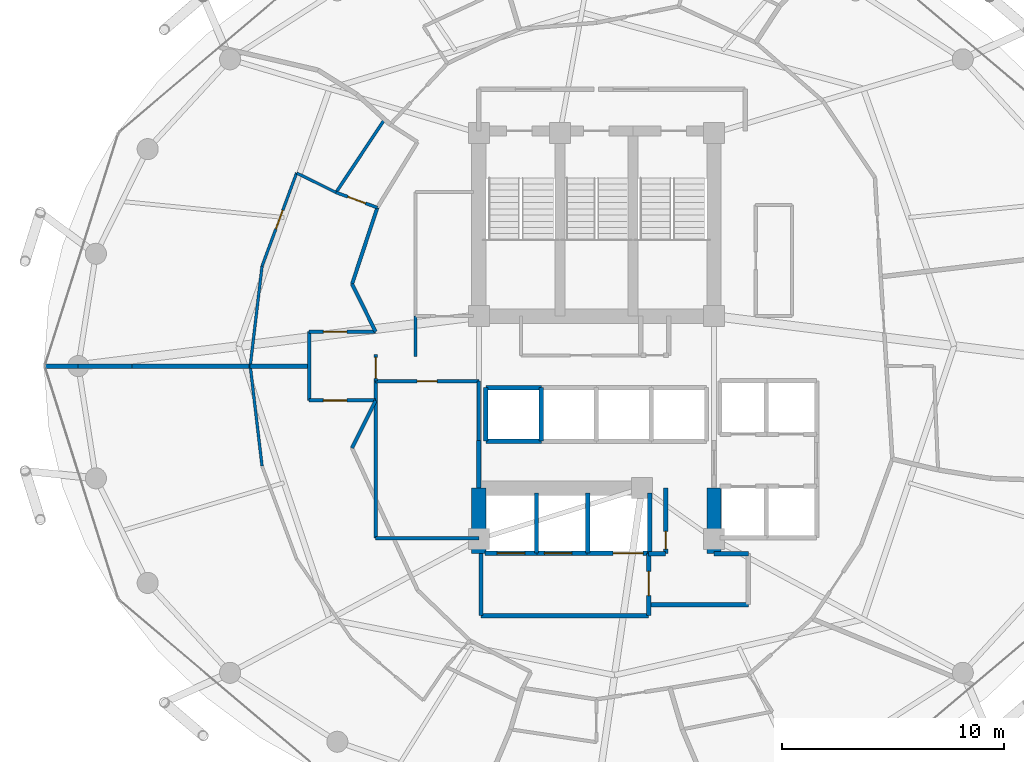
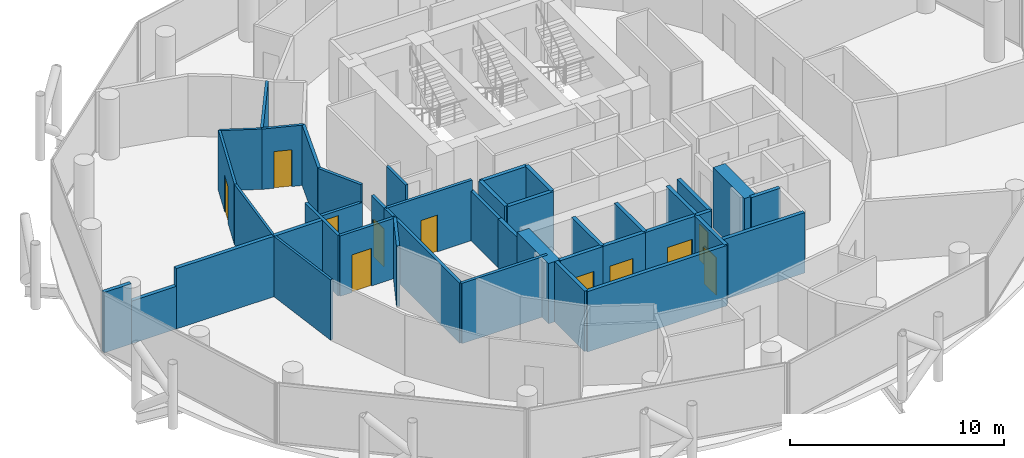
# One storey, part 22 of 26: 42 walls, 11 doors, 11 openings.
"""IFC4 building model written with IfcOpenShell, lengths in metres."""

from ifc_helpers import new_model, si_unit, direction, frame, frame_2d, origin, place, context, subcontext, project, spatial, rectangle, extrude, material, layer, layer_set, type_object, element, fill, save


model = new_model("IFC4")

# Units and contexts
model_context = context("Model", 3, precision=1e-05, world=origin(), true_north=direction((0.0, 1.0)))
body_context = subcontext(model_context, "Body", "Model", "MODEL_VIEW")
ifc_project = project(units=[si_unit("LENGTHUNIT", "METRE"), si_unit("AREAUNIT", "SQUARE_METRE"), si_unit("VOLUMEUNIT", "CUBIC_METRE"), si_unit("PLANEANGLEUNIT", "RADIAN"), si_unit("MASSUNIT", "GRAM", prefix="KILO")], contexts=[model_context])

# Site, building, storey
site_placement = place(None, origin())
site = spatial("IfcSite", under=ifc_project, at=site_placement, CompositionType="ELEMENT")
building_placement = place(site_placement, origin())
building = spatial("IfcBuilding", under=site, at=building_placement, Name="Nuhasar Tower", CompositionType="ELEMENT")
storey_placement = place(building_placement, frame((0.0, 0.0, 121.949951171875)))
storey = spatial("IfcBuildingStorey", under=building, at=storey_placement, Name="L28", CompositionType="ELEMENT", Elevation=121.949951171875)

# Walls
ifc_material_1 = material(Name="Concrete C65/80", Category="concrete")
ifc_layer_1 = layer(ifc_material_1, 0.64990234375)
ifc_layer_set_1 = layer_set([ifc_layer_1], Name="Concrete C65/80")
wall_type_1 = type_object("IfcWallType", Name="WL-CORE-650", PredefinedType="SHEAR", material=ifc_layer_set_1)
for number, where, z_axis, x_axis, name in (
    (1, (33.699951171875, 18.35009765625, 0.0), (0.0, 0.0, 1.0), (0.0, 1.0, 0.0), "L28 Core Shear Wall CW-SW CW-650"),
    (2, (44.300048828125, 18.35009765625, 0.0), (0.0, 0.0, 1.0), (0.0, 1.0, 0.0), "L28 Core Shear Wall CW-SE CW-650"),
):
    element("IfcWall", number, at=place(storey_placement, frame(where, z_axis=z_axis, x_axis=x_axis)), inside=storey, type_object=wall_type_1, Name=name, PredefinedType="SHEAR", context=body_context, shape_type="SweptSolid", body=[
        extrude(rectangle(XDim=2.949951171875, YDim=0.64990234375, at=frame_2d((1.47509765625, 0.0))), origin(), (0.0, 0.0, 1.0), 3.449951171875),
    ])
ifc_material_2 = material(Name="Gypsum Board", Category="gypsum")
ifc_layer_2 = layer(ifc_material_2, 0.159912109375)
ifc_layer_set_2 = layer_set([ifc_layer_2], Name="Gypsum Board")
wall_type_2 = type_object("IfcWallType", Name="WL-CORR-160", PredefinedType="PARTITIONING", material=ifc_layer_set_2)
wall_1_placement = place(storey_placement, frame((29.050048828125, 19.050048828125, 0.0), z_axis=(0.0, 0.0, 1.0), x_axis=(1.0, 0.0, 0.0)))
element("IfcWall", 3, at=wall_1_placement, inside=storey, type_object=wall_type_2, Name="L28 Interior Partition RECL-B1-S", PredefinedType="PARTITIONING", context=body_context, shape_type="SweptSolid", body=[
    extrude(rectangle(XDim=4.64990234375, YDim=0.159912109375, at=frame_2d((2.324951171875, 0.0))), origin(), (0.0, 0.0, 1.0), 3.449951171875),
])
wall_2_placement = place(storey_placement, frame((29.050048828125, 19.050048828125, 0.0), z_axis=(0.0, 0.0, 1.0), x_axis=(0.0, 1.0, 0.0)))
element("IfcWall", 4, at=wall_2_placement, inside=storey, type_object=wall_type_2, Name="L28 Interior Partition RECL-B1-W", PredefinedType="PARTITIONING", context=body_context, shape_type="SweptSolid", body=[
    extrude(rectangle(XDim=7.070068359375, YDim=0.159912109375, at=frame_2d((3.53515625, 0.0))), origin(), (0.0, 0.0, 1.0), 3.449951171875),
])
wall_3_placement = place(storey_placement, frame((33.699951171875, 23.449951171875, 0.0), z_axis=(0.0, 0.0, 1.0), x_axis=(0.0, 1.0, 0.0)))
element("IfcWall", 5, at=wall_3_placement, inside=storey, type_object=wall_type_2, Name="L28 Interior Partition RECL-B1-E", PredefinedType="PARTITIONING", context=body_context, shape_type="SweptSolid", body=[
    extrude(rectangle(XDim=2.670166015625, YDim=0.159912109375, at=frame_2d((1.3349609375, 0.0))), origin(), (0.0, 0.0, 1.0), 2.8349609375),
])

# Wall, opening, door
wall_4_placement = place(storey_placement, frame((33.699951171875, 26.1201171875, 0.0), z_axis=(0.0, 0.0, 1.0), x_axis=(-1.0, 0.0, 0.0)))
wall_4 = element("IfcWall", 6, at=wall_4_placement, inside=storey, type_object=wall_type_2, Name="L28 Interior Partition RECL-B1-N", PredefinedType="PARTITIONING", context=body_context, shape_type="SweptSolid", body=[
    extrude(rectangle(XDim=4.64990234375, YDim=0.159912109375, at=frame_2d((2.324951171875, 0.0))), origin(), (0.0, 0.0, 1.0), 3.449951171875),
])
opening_1_placement = place(wall_4_placement, frame((1.875, 0.0, 0.0)))
opening_1 = element("IfcOpeningElement", 7, at=opening_1_placement, cuts=wall_4, Name="Opening DR-01", PredefinedType="OPENING", context=body_context, shape_type="SweptSolid", body=[
    extrude(rectangle(XDim=0.89990234375, YDim=2.10009765625, at=frame_2d((0.449951171875, 1.050048828125))), frame((0.0, 0.08984375, 0.0), z_axis=(0.0, -1.0, 0.0), x_axis=(1.0, 0.0, 0.0)), (0.0, 0.0, 1.0), 0.179931640625),
])
ifc_material_3 = material(Name="Timber Oak", Category="wood")
door_type_1 = type_object("IfcDoorType", Name="DR-ROOM-900", OperationType="NOTDEFINED", PredefinedType="DOOR", material=ifc_material_3)
door_1_placement = place(opening_1_placement, origin())
door_1 = element("IfcDoor", 8, at=door_1_placement, inside=storey, type_object=door_type_1, Name="L28 Butler Store Door", OperationType="SINGLE_SWING_RIGHT", OverallHeight=2.10009765625, OverallWidth=0.89990234375, PredefinedType="DOOR", context=body_context, shape_type="SweptSolid", body=[
    extrude(rectangle(XDim=0.89990234375, YDim=2.10009765625, at=frame_2d((0.449951171875, 1.050048828125))), frame((0.0, 0.02490234375, 0.0), z_axis=(0.0, -1.0, 0.0), x_axis=(1.0, 0.0, 0.0)), (0.0, 0.0, 1.0), 0.050048828125),
])
fill(opening_1, door_1)

wall_5_placement = place(storey_placement, frame((29.050048828125, 26.1201171875, 0.0), z_axis=(0.0, 0.0, 1.0), x_axis=(0.0, 1.0, 0.0)))
wall_5 = element("IfcWall", 9, at=wall_5_placement, inside=storey, type_object=wall_type_2, Name="L28 Interior Partition WVEST-E", PredefinedType="PARTITIONING", context=body_context, shape_type="SweptSolid", body=[
    extrude(rectangle(XDim=1.199951171875, YDim=0.159912109375, at=frame_2d((0.60009765625, 0.0))), origin(), (0.0, 0.0, 1.0), 3.449951171875),
])
opening_2_placement = place(wall_5_placement, frame((0.125, 0.0, 0.0)))
opening_2 = element("IfcOpeningElement", 10, at=opening_2_placement, cuts=wall_5, Name="Opening DO-01", PredefinedType="OPENING", context=body_context, shape_type="SweptSolid", body=[
    extrude(rectangle(XDim=0.949951171875, YDim=2.14990234375, at=frame_2d((0.47509765625, 1.074951171875))), frame((0.0, 0.08984375, 0.0), z_axis=(0.0, -1.0, 0.0), x_axis=(1.0, 0.0, 0.0)), (0.0, 0.0, 1.0), 0.179931640625),
])
door_type_2 = type_object("IfcDoorType", Name="DR-OFFICE-FD30-950", OperationType="NOTDEFINED", PredefinedType="DOOR", material=ifc_material_3)
door_2_placement = place(opening_2_placement, origin())
door_2 = element("IfcDoor", 11, at=door_2_placement, inside=storey, type_object=door_type_2, Name="L28 West Arrival Foyer Core Door", OperationType="SINGLE_SWING_RIGHT", OverallHeight=2.14990234375, OverallWidth=0.949951171875, PredefinedType="DOOR", context=body_context, shape_type="SweptSolid", body=[
    extrude(rectangle(XDim=0.949951171875, YDim=2.14990234375, at=frame_2d((0.47509765625, 1.074951171875))), frame((0.0, 0.02490234375, 0.0), z_axis=(0.0, -1.0, 0.0), x_axis=(1.0, 0.0, 0.0)), (0.0, 0.0, 1.0), 0.050048828125),
])
fill(opening_2, door_2)

# Wall
wall_6_placement = place(storey_placement, frame((29.126953125, 33.93994140625, 0.0), z_axis=(0.0, 0.0, 1.0), x_axis=(-0.313985571683, -0.949427754374, 0.0)))
element("IfcWall", 12, at=wall_6_placement, inside=storey, type_object=wall_type_2, Name="L28 Interior Partition HWEST-CORE-N-20", PredefinedType="PARTITIONING", context=body_context, shape_type="SweptSolid", body=[
    extrude(rectangle(XDim=3.627197265625, YDim=0.159912109375, at=frame_2d((1.8134765625, 0.0))), origin(), (0.0, 0.0, 1.0), 3.449951171875),
])

# Wall, opening, door
wall_7_placement = place(storey_placement, frame((26.050048828125, 28.35009765625, 0.0), z_axis=(0.0, 0.0, 1.0), x_axis=(1.0, 0.0, 0.0)))
wall_7 = element("IfcWall", 13, at=wall_7_placement, inside=storey, type_object=wall_type_2, Name="L28 Interior Partition WVEST-N", PredefinedType="PARTITIONING", context=body_context, shape_type="SweptSolid", body=[
    extrude(rectangle(XDim=3.0, YDim=0.159912109375, at=frame_2d((1.5, 0.0))), origin(), (0.0, 0.0, 1.0), 2.43994140625),
])
opening_3_placement = place(wall_7_placement, frame((0.64990234375, 0.0, 0.0)))
opening_3 = element("IfcOpeningElement", 14, at=opening_3_placement, cuts=wall_7, Name="Opening DU-01", PredefinedType="OPENING", context=body_context, shape_type="SweptSolid", body=[
    extrude(rectangle(XDim=1.050048828125, YDim=2.14990234375, at=frame_2d((0.52490234375, 1.074951171875))), frame((0.0, 0.08984375, 0.0), z_axis=(0.0, -1.0, 0.0), x_axis=(1.0, 0.0, 0.0)), (0.0, 0.0, 1.0), 0.179931640625),
])
door_type_3 = type_object("IfcDoorType", Name="DR-SUITE-FD60-1050", OperationType="NOTDEFINED", PredefinedType="DOOR", material=ifc_material_3)
door_3_placement = place(opening_3_placement, origin())
door_3 = element("IfcDoor", 15, at=door_3_placement, inside=storey, type_object=door_type_3, Name="L28 North-West Sunset Suite Entrance", OperationType="SINGLE_SWING_LEFT", OverallHeight=2.14990234375, OverallWidth=1.050048828125, PredefinedType="DOOR", context=body_context, shape_type="SweptSolid", body=[
    extrude(rectangle(XDim=1.050048828125, YDim=2.14990234375, at=frame_2d((0.52490234375, 1.074951171875))), frame((0.0, 0.02490234375, 0.0), z_axis=(0.0, -1.0, 0.0), x_axis=(1.0, 0.0, 0.0)), (0.0, 0.0, 1.0), 0.050048828125),
])
fill(opening_3, door_3)

wall_8_placement = place(storey_placement, frame((26.050048828125, 25.25, 0.0), z_axis=(0.0, 0.0, 1.0), x_axis=(1.0, 0.0, 0.0)))
wall_8 = element("IfcWall", 16, at=wall_8_placement, inside=storey, type_object=wall_type_2, Name="L28 Interior Partition WVEST-S", PredefinedType="PARTITIONING", context=body_context, shape_type="SweptSolid", body=[
    extrude(rectangle(XDim=3.0, YDim=0.159912109375, at=frame_2d((1.5, 0.0))), origin(), (0.0, 0.0, 1.0), 3.449951171875),
])
opening_4_placement = place(wall_8_placement, frame((0.64990234375, 0.0, 0.0)))
opening_4 = element("IfcOpeningElement", 17, at=opening_4_placement, cuts=wall_8, Name="Opening DU-01", PredefinedType="OPENING", context=body_context, shape_type="SweptSolid", body=[
    extrude(rectangle(XDim=1.050048828125, YDim=2.14990234375, at=frame_2d((0.52490234375, 1.074951171875))), frame((0.0, 0.08984375, 0.0), z_axis=(0.0, -1.0, 0.0), x_axis=(1.0, 0.0, 0.0)), (0.0, 0.0, 1.0), 0.179931640625),
])
door_4_placement = place(opening_4_placement, origin())
door_4 = element("IfcDoor", 18, at=door_4_placement, inside=storey, type_object=door_type_3, Name="L28 South-West Presidential Suite Entrance", OperationType="SINGLE_SWING_LEFT", OverallHeight=2.14990234375, OverallWidth=1.050048828125, PredefinedType="DOOR", context=body_context, shape_type="SweptSolid", body=[
    extrude(rectangle(XDim=1.050048828125, YDim=2.14990234375, at=frame_2d((0.52490234375, 1.074951171875))), frame((0.0, 0.02490234375, 0.0), z_axis=(0.0, -1.0, 0.0), x_axis=(1.0, 0.0, 0.0)), (0.0, 0.0, 1.0), 0.050048828125),
])
fill(opening_4, door_4)

# Walls
wall_9_placement = place(storey_placement, frame((26.050048828125, 25.25, 0.0), z_axis=(0.0, 0.0, 1.0), x_axis=(0.0, 1.0, 0.0)))
element("IfcWall", 19, at=wall_9_placement, inside=storey, type_object=wall_type_2, Name="L28 Interior Partition WVEST-W", PredefinedType="PARTITIONING", context=body_context, shape_type="SweptSolid", body=[
    extrude(rectangle(XDim=3.10009765625, YDim=0.159912109375, at=frame_2d((1.550048828125, 0.0))), origin(), (0.0, 0.0, 1.0), 3.449951171875),
])
for number, where, z_axis, x_axis, name in (
    (20, (27.988037109375, 30.49609375, 0.0), (0.0, 0.0, 1.0), (0.443539160525, -0.896254993337, 0.0), "L28 Interior Partition WVEST-CN"),
    (21, (27.988037109375, 23.10400390625, 0.0), (0.0, 0.0, 1.0), (0.443539160525, 0.896254993337, 0.0), "L28 Interior Partition WVEST-CS"),
):
    element("IfcWall", number, at=place(storey_placement, frame(where, z_axis=z_axis, x_axis=x_axis)), inside=storey, type_object=wall_type_2, Name=name, PredefinedType="PARTITIONING", context=body_context, shape_type="SweptSolid", body=[
        extrude(rectangle(XDim=2.394287109375, YDim=0.159912109375, at=frame_2d((1.197265625, 0.0))), origin(), (0.0, 0.0, 1.0), 3.449951171875),
    ])
ifc_material_4 = material(Name="Concrete C45/55", Category="concrete")
ifc_layer_3 = layer(ifc_material_4, 0.199951171875)
ifc_layer_set_3 = layer_set([ifc_layer_3], Name="Concrete C45/55")
wall_type_3 = type_object("IfcWallType", Name="WL-LOBBY-200", PredefinedType="SOLIDWALL", material=ifc_layer_set_3)
wall_10_placement = place(storey_placement, frame((33.699951171875, 21.300048828125, 0.0), z_axis=(0.0, 0.0, 1.0), x_axis=(0.0, 1.0, 0.0)))
element("IfcWall", 22, at=wall_10_placement, inside=storey, type_object=wall_type_3, Name="L28 Interior Partition LLBH-W", PredefinedType="SOLIDWALL", context=body_context, shape_type="SweptSolid", body=[
    extrude(rectangle(XDim=2.14990234375, YDim=0.199951171875, at=frame_2d((1.074951171875, 0.0))), origin(), (0.0, 0.0, 1.0), 2.8349609375),
])
wall_11_placement = place(storey_placement, frame((33.800048828125, 15.550048828125, 0.0), z_axis=(0.0, 0.0, 1.0), x_axis=(1.0, 0.0, 0.0)))
element("IfcWall", 23, at=wall_11_placement, inside=storey, type_object=wall_type_3, Name="L28 Interior Partition FFL-S", PredefinedType="SOLIDWALL", context=body_context, shape_type="SweptSolid", body=[
    extrude(rectangle(XDim=7.550048828125, YDim=0.199951171875, at=frame_2d((3.77490234375, 0.0))), origin(), (0.0, 0.0, 1.0), 3.449951171875),
])
wall_12_placement = place(storey_placement, frame((33.800048828125, 15.550048828125, 0.0), z_axis=(0.0, 0.0, 1.0), x_axis=(0.0, 1.0, 0.0)))
element("IfcWall", 24, at=wall_12_placement, inside=storey, type_object=wall_type_3, Name="L28 Interior Partition FFL-W", PredefinedType="SOLIDWALL", context=body_context, shape_type="SweptSolid", body=[
    extrude(rectangle(XDim=2.800048828125, YDim=0.199951171875, at=frame_2d((1.39990234375, 0.0))), origin(), (0.0, 0.0, 1.0), 3.449951171875),
])

# Wall, opening, door
wall_13_placement = place(storey_placement, frame((41.35009765625, 15.550048828125, 0.0), z_axis=(0.0, 0.0, 1.0), x_axis=(0.0, 1.0, 0.0)))
wall_13 = element("IfcWall", 25, at=wall_13_placement, inside=storey, type_object=wall_type_3, Name="L28 Interior Partition FFL-E", PredefinedType="SOLIDWALL", context=body_context, shape_type="SweptSolid", body=[
    extrude(rectangle(XDim=2.800048828125, YDim=0.199951171875, at=frame_2d((1.39990234375, 0.0))), origin(), (0.0, 0.0, 1.0), 3.449951171875),
])
opening_5_placement = place(wall_13_placement, frame((0.89990234375, 0.0, 0.0)))
opening_5 = element("IfcOpeningElement", 26, at=opening_5_placement, cuts=wall_13, Name="Opening DS-02", PredefinedType="OPENING", context=body_context, shape_type="SweptSolid", body=[
    extrude(rectangle(XDim=1.10009765625, YDim=2.14990234375, at=frame_2d((0.550048828125, 1.074951171875))), frame((0.0, 0.10986328125, 0.0), z_axis=(0.0, -1.0, 0.0), x_axis=(1.0, 0.0, 0.0)), (0.0, 0.0, 1.0), 0.219970703125),
])
ifc_material_5 = material(Name="Steel S355", Category="steel")
door_type_4 = type_object("IfcDoorType", Name="DR-FFL-FD120-1100", OperationType="NOTDEFINED", PredefinedType="DOOR", material=ifc_material_5)
door_5_placement = place(opening_5_placement, origin())
door_5 = element("IfcDoor", 27, at=door_5_placement, inside=storey, type_object=door_type_4, Name="L28 Firefighting Lobby Door", OperationType="SINGLE_SWING_RIGHT", OverallHeight=2.14990234375, OverallWidth=1.10009765625, PredefinedType="DOOR", context=body_context, shape_type="SweptSolid", body=[
    extrude(rectangle(XDim=1.10009765625, YDim=2.14990234375, at=frame_2d((0.550048828125, 1.074951171875))), frame((0.0, 0.02490234375, 0.0), z_axis=(0.0, -1.0, 0.0), x_axis=(1.0, 0.0, 0.0)), (0.0, 0.0, 1.0), 0.050048828125),
])
fill(opening_5, door_5)

# Walls
wall_14_placement = place(storey_placement, frame((41.35009765625, 16.050048828125, 0.0), z_axis=(0.0, 0.0, 1.0), x_axis=(1.0, 0.0, 0.0)))
element("IfcWall", 28, at=wall_14_placement, inside=storey, type_object=wall_type_3, Name="L28 Interior Partition SVLV-S", PredefinedType="SOLIDWALL", context=body_context, shape_type="SweptSolid", body=[
    extrude(rectangle(XDim=4.5, YDim=0.199951171875, at=frame_2d((2.25, 0.0))), origin(), (0.0, 0.0, 1.0), 3.449951171875),
])
wall_15_placement = place(storey_placement, frame((44.300048828125, 18.35009765625, 0.0), z_axis=(0.0, 0.0, 1.0), x_axis=(1.0, 0.0, 0.0)))
element("IfcWall", 29, at=wall_15_placement, inside=storey, type_object=wall_type_3, Name="L28 Interior Partition SVLV-N", PredefinedType="SOLIDWALL", context=body_context, shape_type="SweptSolid", body=[
    extrude(rectangle(XDim=1.550048828125, YDim=0.199951171875, at=frame_2d((0.77490234375, 0.0))), origin(), (0.0, 0.0, 1.0), 3.449951171875),
])
ifc_layer_4 = layer(ifc_material_2, 0.125)
ifc_layer_set_4 = layer_set([ifc_layer_4], Name="Gypsum Board")
wall_type_4 = type_object("IfcWallType", Name="WL-PART-125", PredefinedType="PARTITIONING", material=ifc_layer_set_4)
wall_16_placement = place(storey_placement, frame((27.264892578125, 34.625, 0.0), z_axis=(0.0, 0.0, 1.0), x_axis=(-0.896929858707, 0.442172849189, 0.0)))
element("IfcWall", 30, at=wall_16_placement, inside=storey, type_object=wall_type_4, Name="L28 Interior Partition HWS1-S", PredefinedType="PARTITIONING", context=body_context, shape_type="SweptSolid", body=[
    extrude(rectangle(XDim=1.978759765625, YDim=0.125, at=frame_2d((0.9892578125, 0.0))), origin(), (0.0, 0.0, 1.0), 3.449951171875),
])

# Wall, opening, door
wall_17_placement = place(storey_placement, frame((25.489990234375, 35.5, 0.0), z_axis=(0.0, 0.0, 1.0), x_axis=(-0.348031805078, -0.93748272659, 0.0)))
wall_17 = element("IfcWall", 31, at=wall_17_placement, inside=storey, type_object=wall_type_4, Name="L28 Interior Partition HWS1-ARC-20", PredefinedType="PARTITIONING", context=body_context, shape_type="SweptSolid", body=[
    extrude(rectangle(XDim=4.476806640625, YDim=0.125, at=frame_2d((2.23828125, 0.0))), origin(), (0.0, 0.0, 1.0), 3.449951171875),
])
opening_6_placement = place(wall_17_placement, frame((1.7880859375, 0.0, 0.0)))
opening_6 = element("IfcOpeningElement", 32, at=opening_6_placement, cuts=wall_17, Name="Opening DR-01", PredefinedType="OPENING", context=body_context, shape_type="SweptSolid", body=[
    extrude(rectangle(XDim=0.89990234375, YDim=2.10009765625, at=frame_2d((0.449951171875, 1.050048828125))), frame((0.0, 0.072509765625, 0.0), z_axis=(0.0, -1.0, 0.0), x_axis=(1.0, 0.0, 0.0)), (0.0, 0.0, 1.0), 0.14501953125),
])
door_6_placement = place(opening_6_placement, origin())
door_6 = element("IfcDoor", 33, at=door_6_placement, inside=storey, type_object=door_type_1, Name="L28 North-West Sunset Suite Bedroom Door", OperationType="SINGLE_SWING_LEFT", OverallHeight=2.10009765625, OverallWidth=0.89990234375, PredefinedType="DOOR", context=body_context, shape_type="SweptSolid", body=[
    extrude(rectangle(XDim=0.89990234375, YDim=2.10009765625, at=frame_2d((0.449951171875, 1.050048828125))), frame((0.0, 0.02490234375, 0.0), z_axis=(0.0, -1.0, 0.0), x_axis=(1.0, 0.0, 0.0)), (0.0, 0.0, 1.0), 0.050048828125),
])
fill(opening_6, door_6)

# Walls
for number, where, z_axis, x_axis, name in (
    (34, (23.931884765625, 31.302978515625, 0.0), (0.0, 0.0, 1.0), (-0.1173254596, -0.993093518522, 0.0), "L28 Interior Partition HWS1-ARC-22"),
    (35, (23.39990234375, 26.800048828125, 0.0), (0.0, 0.0, 1.0), (0.1173254596, -0.993093518522, 0.0), "L28 Interior Partition HWS2-ARC-24"),
):
    element("IfcWall", number, at=place(storey_placement, frame(where, z_axis=z_axis, x_axis=x_axis)), inside=storey, type_object=wall_type_4, Name=name, PredefinedType="PARTITIONING", context=body_context, shape_type="SweptSolid", body=[
        extrude(rectangle(XDim=4.5341796875, YDim=0.125, at=frame_2d((2.26708984375, 0.0))), origin(), (0.0, 0.0, 1.0), 3.449951171875),
    ])
ifc_layer_5 = layer(ifc_material_4, 0.199951171875)
ifc_layer_set_5 = layer_set([ifc_layer_5], Name="Concrete C45/55")
wall_type_5 = type_object("IfcWallType", Name="WL-SHAFT-200", PredefinedType="SOLIDWALL", material=ifc_layer_set_5)
for number, where, z_axis, x_axis, name in (
    (36, (34.02001953125, 23.419921875, 0.0), (0.0, 0.0, 1.0), (1.0, 0.0, 0.0), "L28 Interior Partition SHF-PL-H01-S"),
    (37, (34.02001953125, 25.830078125, 0.0), (0.0, 0.0, 1.0), (1.0, 0.0, 0.0), "L28 Interior Partition SHF-PL-H01-N"),
):
    element("IfcWall", number, at=place(storey_placement, frame(where, z_axis=z_axis, x_axis=x_axis)), inside=storey, type_object=wall_type_5, Name=name, PredefinedType="SOLIDWALL", context=body_context, shape_type="SweptSolid", body=[
        extrude(rectangle(XDim=2.5, YDim=0.199951171875, at=frame_2d((1.25, 0.0))), origin(), (0.0, 0.0, 1.0), 3.449951171875),
    ])
for number, where, z_axis, x_axis, name in (
    (38, (34.02001953125, 23.419921875, 0.0), (0.0, 0.0, 1.0), (0.0, 1.0, 0.0), "L28 Interior Partition SHF-PL-H01-W"),
    (39, (36.510009765625, 23.419921875, 0.0), (0.0, 0.0, 1.0), (0.0, 1.0, 0.0), "L28 Interior Partition SHF-PL-H01-E"),
):
    element("IfcWall", number, at=place(storey_placement, frame(where, z_axis=z_axis, x_axis=x_axis)), inside=storey, type_object=wall_type_5, Name=name, PredefinedType="SOLIDWALL", context=body_context, shape_type="SweptSolid", body=[
        extrude(rectangle(XDim=2.41015625, YDim=0.199951171875, at=frame_2d((1.205078125, 0.0))), origin(), (0.0, 0.0, 1.0), 3.449951171875),
    ])

# Wall, opening, door
wall_18_placement = place(storey_placement, frame((33.969970703125, 18.3701171875, 0.0), z_axis=(0.0, 0.0, 1.0), x_axis=(1.0, 0.0, 0.0)))
wall_18 = element("IfcWall", 40, at=wall_18_placement, inside=storey, type_object=wall_type_5, Name="L28 Interior Partition SHF-FFL-01-S", PredefinedType="SOLIDWALL", context=body_context, shape_type="SweptSolid", body=[
    extrude(rectangle(XDim=2.360107421875, YDim=0.199951171875, at=frame_2d((1.18017578125, 0.0))), origin(), (0.0, 0.0, 1.0), 3.449951171875),
])
opening_7_placement = place(wall_18_placement, frame((0.554931640625, 0.0, 0.0)))
opening_7 = element("IfcOpeningElement", 41, at=opening_7_placement, cuts=wall_18, Name="Opening LD-F01", PredefinedType="OPENING", context=body_context, shape_type="SweptSolid", body=[
    extrude(rectangle(XDim=1.25, YDim=2.199951171875, at=frame_2d((0.625, 1.10009765625))), frame((0.0, 0.10986328125, 0.0), z_axis=(0.0, -1.0, 0.0), x_axis=(1.0, 0.0, 0.0)), (0.0, 0.0, 1.0), 0.219970703125),
])
ifc_material_6 = material(Name="Stainless Steel 316L", Category="steel")
door_type_5 = type_object("IfcDoorType", Name="LD-FFL-1250", OperationType="DOUBLE_DOOR_SLIDING", PredefinedType="DOOR", material=ifc_material_6)
door_7_placement = place(opening_7_placement, origin())
door_7 = element("IfcDoor", 42, at=door_7_placement, inside=storey, type_object=door_type_5, Name="L28 Lift Landing Door FFL-01", OperationType="DOUBLE_DOOR_SLIDING", OverallHeight=2.199951171875, OverallWidth=1.25, PredefinedType="DOOR", context=body_context, shape_type="SweptSolid", body=[
    extrude(rectangle(XDim=1.25, YDim=2.199951171875, at=frame_2d((0.625, 1.10009765625))), frame((0.0, 0.02490234375, 0.0), z_axis=(0.0, -1.0, 0.0), x_axis=(1.0, 0.0, 0.0)), (0.0, 0.0, 1.0), 0.050048828125),
])
fill(opening_7, door_7)

# Wall
wall_19_placement = place(storey_placement, frame((36.300048828125, 18.3701171875, 0.0), z_axis=(0.0, 0.0, 1.0), x_axis=(0.0, 1.0, 0.0)))
element("IfcWall", 43, at=wall_19_placement, inside=storey, type_object=wall_type_5, Name="L28 Interior Partition SHF-FFL-01-E", PredefinedType="SOLIDWALL", context=body_context, shape_type="SweptSolid", body=[
    extrude(rectangle(XDim=2.7099609375, YDim=0.199951171875, at=frame_2d((1.35498046875, 0.0))), origin(), (0.0, 0.0, 1.0), 3.449951171875),
])

# Wall, opening, door
wall_20_placement = place(storey_placement, frame((36.27001953125, 18.3701171875, 0.0), z_axis=(0.0, 0.0, 1.0), x_axis=(1.0, 0.0, 0.0)))
wall_20 = element("IfcWall", 44, at=wall_20_placement, inside=storey, type_object=wall_type_5, Name="L28 Interior Partition SHF-FFL-02-S", PredefinedType="SOLIDWALL", context=body_context, shape_type="SweptSolid", body=[
    extrude(rectangle(XDim=2.35986328125, YDim=0.199951171875, at=frame_2d((1.179931640625, 0.0))), origin(), (0.0, 0.0, 1.0), 3.449951171875),
])
opening_8_placement = place(wall_20_placement, frame((0.3798828125, 0.0, 0.0)))
opening_8 = element("IfcOpeningElement", 45, at=opening_8_placement, cuts=wall_20, Name="Opening LD-F02", PredefinedType="OPENING", context=body_context, shape_type="SweptSolid", body=[
    extrude(rectangle(XDim=1.25, YDim=2.199951171875, at=frame_2d((0.625, 1.10009765625))), frame((0.0, 0.10986328125, 0.0), z_axis=(0.0, -1.0, 0.0), x_axis=(1.0, 0.0, 0.0)), (0.0, 0.0, 1.0), 0.219970703125),
])
door_8_placement = place(opening_8_placement, origin())
door_8 = element("IfcDoor", 46, at=door_8_placement, inside=storey, type_object=door_type_5, Name="L28 Lift Landing Door FFL-02", OperationType="DOUBLE_DOOR_SLIDING", OverallHeight=2.199951171875, OverallWidth=1.25, PredefinedType="DOOR", context=body_context, shape_type="SweptSolid", body=[
    extrude(rectangle(XDim=1.25, YDim=2.199951171875, at=frame_2d((0.625, 1.10009765625))), frame((0.0, 0.02490234375, 0.0), z_axis=(0.0, -1.0, 0.0), x_axis=(1.0, 0.0, 0.0)), (0.0, 0.0, 1.0), 0.050048828125),
])
fill(opening_8, door_8)

# Wall
wall_21_placement = place(storey_placement, frame((38.60009765625, 18.3701171875, 0.0), z_axis=(0.0, 0.0, 1.0), x_axis=(0.0, 1.0, 0.0)))
element("IfcWall", 47, at=wall_21_placement, inside=storey, type_object=wall_type_5, Name="L28 Interior Partition SHF-FFL-02-E", PredefinedType="SOLIDWALL", context=body_context, shape_type="SweptSolid", body=[
    extrude(rectangle(XDim=2.7099609375, YDim=0.199951171875, at=frame_2d((1.35498046875, 0.0))), origin(), (0.0, 0.0, 1.0), 3.449951171875),
])

# Wall, opening, door
wall_22_placement = place(storey_placement, frame((38.570068359375, 18.3701171875, 0.0), z_axis=(0.0, 0.0, 1.0), x_axis=(1.0, 0.0, 0.0)))
wall_22 = element("IfcWall", 48, at=wall_22_placement, inside=storey, type_object=wall_type_5, Name="L28 Interior Partition SHF-SVL-01-S", PredefinedType="SOLIDWALL", context=body_context, shape_type="SweptSolid", body=[
    extrude(rectangle(XDim=2.829833984375, YDim=0.199951171875, at=frame_2d((1.4150390625, 0.0))), origin(), (0.0, 0.0, 1.0), 3.449951171875),
])
opening_9_placement = place(wall_22_placement, frame((1.179931640625, 0.0, 0.0)))
opening_9 = element("IfcOpeningElement", 49, at=opening_9_placement, cuts=wall_22, Name="Opening LD-S01", PredefinedType="OPENING", context=body_context, shape_type="SweptSolid", body=[
    extrude(rectangle(XDim=1.35009765625, YDim=2.179931640625, at=frame_2d((0.675048828125, 1.08984375))), frame((0.0, 0.10986328125, 0.0), z_axis=(0.0, -1.0, 0.0), x_axis=(1.0, 0.0, 0.0)), (0.0, 0.0, 1.0), 0.219970703125),
])
door_type_6 = type_object("IfcDoorType", Name="LD-SVL-1350", OperationType="DOUBLE_DOOR_SLIDING", PredefinedType="DOOR", material=ifc_material_6)
door_9_placement = place(opening_9_placement, origin())
door_9 = element("IfcDoor", 50, at=door_9_placement, inside=storey, type_object=door_type_6, Name="L28 Lift Landing Door SVL-01", OperationType="DOUBLE_DOOR_SLIDING", OverallHeight=2.179931640625, OverallWidth=1.35009765625, PredefinedType="DOOR", context=body_context, shape_type="SweptSolid", body=[
    extrude(rectangle(XDim=1.35009765625, YDim=2.179931640625, at=frame_2d((0.675048828125, 1.08984375))), frame((0.0, 0.02490234375, 0.0), z_axis=(0.0, -1.0, 0.0), x_axis=(1.0, 0.0, 0.0)), (0.0, 0.0, 1.0), 0.050048828125),
])
fill(opening_9, door_9)

# Wall
wall_23_placement = place(storey_placement, frame((41.39990234375, 18.3701171875, 0.0), z_axis=(0.0, 0.0, 1.0), x_axis=(0.0, 1.0, 0.0)))
element("IfcWall", 51, at=wall_23_placement, inside=storey, type_object=wall_type_5, Name="L28 Interior Partition SHF-SVL-01-E", PredefinedType="SOLIDWALL", context=body_context, shape_type="SweptSolid", body=[
    extrude(rectangle(XDim=2.7099609375, YDim=0.199951171875, at=frame_2d((1.35498046875, 0.0))), origin(), (0.0, 0.0, 1.0), 3.449951171875),
])

# Wall, opening, door
wall_24_placement = place(storey_placement, frame((42.1201171875, 18.35009765625, 0.0), z_axis=(0.0, 0.0, 1.0), x_axis=(0.0, 1.0, 0.0)))
wall_24 = element("IfcWall", 52, at=wall_24_placement, inside=storey, type_object=wall_type_5, Name="L28 Interior Partition RSR-E", PredefinedType="SOLIDWALL", context=body_context, shape_type="SweptSolid", body=[
    extrude(rectangle(XDim=2.949951171875, YDim=0.199951171875, at=frame_2d((1.47509765625, 0.0))), origin(), (0.0, 0.0, 1.0), 3.449951171875),
])
opening_10_placement = place(wall_24_placement, frame((0.199951171875, 0.0, 0.0)))
opening_10 = element("IfcOpeningElement", 53, at=opening_10_placement, cuts=wall_24, Name="Opening DM-01", PredefinedType="OPENING", context=body_context, shape_type="SweptSolid", body=[
    extrude(rectangle(XDim=0.800048828125, YDim=2.050048828125, at=frame_2d((0.39990234375, 1.02490234375))), frame((0.0, 0.10986328125, 0.0), z_axis=(0.0, -1.0, 0.0), x_axis=(1.0, 0.0, 0.0)), (0.0, 0.0, 1.0), 0.219970703125),
])
door_type_7 = type_object("IfcDoorType", Name="DR-RISER-FD60-800", OperationType="NOTDEFINED", PredefinedType="DOOR", material=ifc_material_5)
door_10_placement = place(opening_10_placement, origin())
door_10 = element("IfcDoor", 54, at=door_10_placement, inside=storey, type_object=door_type_7, Name="L28 MEP Riser Access Door", OperationType="SINGLE_SWING_LEFT", OverallHeight=2.050048828125, OverallWidth=0.800048828125, PredefinedType="DOOR", context=body_context, shape_type="SweptSolid", body=[
    extrude(rectangle(XDim=0.800048828125, YDim=2.050048828125, at=frame_2d((0.39990234375, 1.02490234375))), frame((0.0, 0.02490234375, 0.0), z_axis=(0.0, -1.0, 0.0), x_axis=(1.0, 0.0, 0.0)), (0.0, 0.0, 1.0), 0.050048828125),
])
fill(opening_10, door_10)

# Walls
wall_25_placement = place(storey_placement, frame((41.35009765625, 18.35009765625, 0.0), z_axis=(0.0, 0.0, 1.0), x_axis=(1.0, 0.0, 0.0)))
element("IfcWall", 55, at=wall_25_placement, inside=storey, type_object=wall_type_5, Name="L28 Interior Partition RSR-S", PredefinedType="SOLIDWALL", context=body_context, shape_type="SweptSolid", body=[
    extrude(rectangle(XDim=0.77001953125, YDim=0.199951171875, at=frame_2d((0.385009765625, 0.0))), origin(), (0.0, 0.0, 1.0), 3.449951171875),
])
ifc_material_7 = material(Name="Concrete C40/50 precast", Category="concrete")
ifc_layer_6 = layer(ifc_material_7, 0.199951171875)
ifc_layer_set_6 = layer_set([ifc_layer_6], Name="Concrete C40/50 precast")
wall_type_6 = type_object("IfcWallType", Name="WL-UNIT-200", PredefinedType="PARTITIONING", material=ifc_layer_set_6)
wall_26_placement = place(storey_placement, frame((26.050048828125, 26.800048828125, 0.0), z_axis=(0.0, 0.0, 1.0), x_axis=(-1.0, 0.0, 0.0)))
element("IfcWall", 56, at=wall_26_placement, inside=storey, type_object=wall_type_6, Name="L28 Interior Partition HWEST-DIV-IN", PredefinedType="PARTITIONING", context=body_context, shape_type="SweptSolid", body=[
    extrude(rectangle(XDim=2.650146484375, YDim=0.199951171875, at=frame_2d((1.3251953125, 0.0))), origin(), (0.0, 0.0, 1.0), 3.449951171875),
])
wall_27_placement = place(storey_placement, frame((23.39990234375, 26.800048828125, 0.0), z_axis=(0.0, 0.0, 1.0), x_axis=(-1.0, 0.0, 0.0)))
element("IfcWall", 57, at=wall_27_placement, inside=storey, type_object=wall_type_6, Name="L28 Interior Partition HWEST-DIV-OUT", PredefinedType="PARTITIONING", context=body_context, shape_type="SweptSolid", body=[
    extrude(rectangle(XDim=5.326904296875, YDim=0.199951171875, at=frame_2d((2.66357421875, 0.0))), origin(), (0.0, 0.0, 1.0), 3.449951171875),
])
wall_28_placement = place(storey_placement, frame((18.072998046875, 26.800048828125, 0.0), z_axis=(0.0, 0.0, 1.0), x_axis=(-1.0, 0.0, 0.0)))
element("IfcWall", 58, at=wall_28_placement, inside=storey, type_object=wall_type_6, Name="L28 Interior Partition HWEST-DIV-OUT", PredefinedType="PARTITIONING", context=body_context, shape_type="SweptSolid", body=[
    extrude(rectangle(XDim=2.43505859375, YDim=0.199951171875, at=frame_2d((1.217529296875, 0.0))), origin(), (0.0, 0.0, 1.0), 2.43994140625),
])
wall_29_placement = place(storey_placement, frame((15.637939453125, 26.800048828125, 0.0), z_axis=(0.0, 0.0, 1.0), x_axis=(-1.0, 0.0, 0.0)))
element("IfcWall", 59, at=wall_29_placement, inside=storey, type_object=wall_type_6, Name="L28 Interior Partition HWEST-DIV-OUT", PredefinedType="PARTITIONING", context=body_context, shape_type="SweptSolid", body=[
    extrude(rectangle(XDim=1.462890625, YDim=0.199951171875, at=frame_2d((0.7314453125, 0.0))), origin(), (0.0, 0.0, 1.0), 3.449951171875),
])
ifc_layer_7 = layer(ifc_material_7, 0.139892578125)
ifc_layer_set_7 = layer_set([ifc_layer_7], Name="Concrete C40/50 precast")
wall_type_7 = type_object("IfcWallType", Name="WL-WET-140", PredefinedType="PARTITIONING", material=ifc_layer_set_7)
wall_30_placement = place(storey_placement, frame((30.85009765625, 27.239990234375, 0.0), z_axis=(0.0, 0.0, 1.0), x_axis=(0.0, 1.0, 0.0)))
element("IfcWall", 60, at=wall_30_placement, inside=storey, type_object=wall_type_7, Name="L28 Interior Partition K3-FOY-W", PredefinedType="PARTITIONING", context=body_context, shape_type="SweptSolid", body=[
    extrude(rectangle(XDim=1.81005859375, YDim=0.139892578125, at=frame_2d((0.905029296875, 0.0))), origin(), (0.0, 0.0, 1.0), 3.449951171875),
])

# Wall, opening, door
wall_31_placement = place(storey_placement, frame((27.264892578125, 34.625, 0.0), z_axis=(0.0, 0.0, 1.0), x_axis=(0.938500583084, -0.345277649945, 0.0)))
wall_31 = element("IfcWall", 61, at=wall_31_placement, inside=storey, type_object=wall_type_7, Name="L28 Interior Partition HBW1-S", PredefinedType="PARTITIONING", context=body_context, shape_type="SweptSolid", body=[
    extrude(rectangle(XDim=1.984130859375, YDim=0.139892578125, at=frame_2d((0.9921875, 0.0))), origin(), (0.0, 0.0, 1.0), 3.449951171875),
])
opening_11_placement = place(wall_31_placement, frame((0.56689453125, 0.0, 0.0)))
opening_11 = element("IfcOpeningElement", 62, at=opening_11_placement, cuts=wall_31, Name="Opening DB-01", PredefinedType="OPENING", context=body_context, shape_type="SweptSolid", body=[
    extrude(rectangle(XDim=0.85009765625, YDim=2.10009765625, at=frame_2d((0.425048828125, 1.050048828125))), frame((0.0, 0.080078125, 0.0), z_axis=(0.0, -1.0, 0.0), x_axis=(1.0, 0.0, 0.0)), (0.0, 0.0, 1.0), 0.159912109375),
])
door_type_8 = type_object("IfcDoorType", Name="DR-BATH-850", OperationType="NOTDEFINED", PredefinedType="DOOR", material=ifc_material_3)
door_11_placement = place(opening_11_placement, origin())
door_11 = element("IfcDoor", 63, at=door_11_placement, inside=storey, type_object=door_type_8, Name="L28 North-West Sunset Suite En-Suite Door", OperationType="SINGLE_SWING_RIGHT", OverallHeight=2.10009765625, OverallWidth=0.85009765625, PredefinedType="DOOR", context=body_context, shape_type="SweptSolid", body=[
    extrude(rectangle(XDim=0.85009765625, YDim=2.10009765625, at=frame_2d((0.425048828125, 1.050048828125))), frame((0.0, 0.02490234375, 0.0), z_axis=(0.0, -1.0, 0.0), x_axis=(1.0, 0.0, 0.0)), (0.0, 0.0, 1.0), 0.050048828125),
])
fill(opening_11, door_11)

# Wall
wall_32_placement = place(storey_placement, frame((29.4189453125, 37.865966796875, 0.0), z_axis=(0.0, 0.0, 1.0), x_axis=(-0.553526949376, -0.832831265212, 0.0)))
element("IfcWall", 64, at=wall_32_placement, inside=storey, type_object=wall_type_7, Name="L28 Interior Partition HBW1-E", PredefinedType="PARTITIONING", context=body_context, shape_type="SweptSolid", body=[
    extrude(rectangle(XDim=3.8916015625, YDim=0.139892578125, at=frame_2d((1.94580078125, 0.0))), origin(), (0.0, 0.0, 1.0), 3.449951171875),
])

save(model, "model.ifc")
